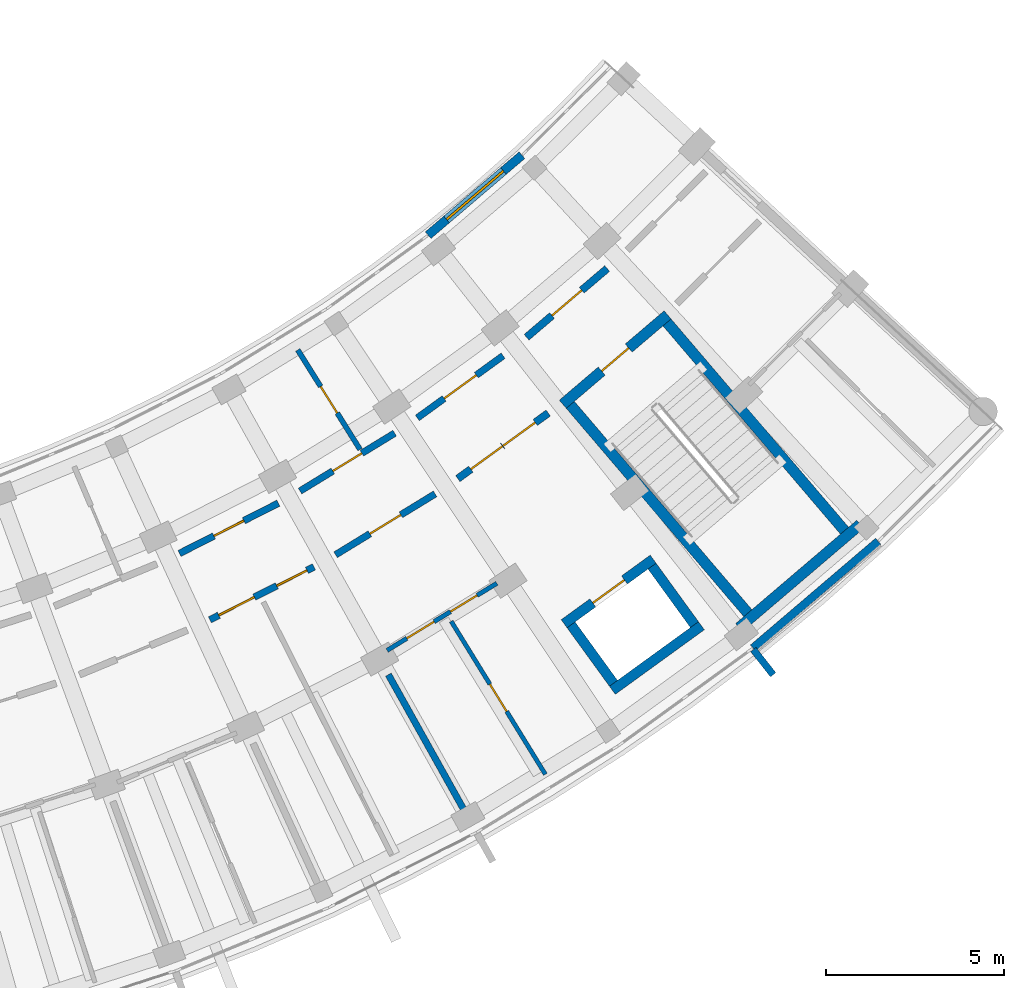
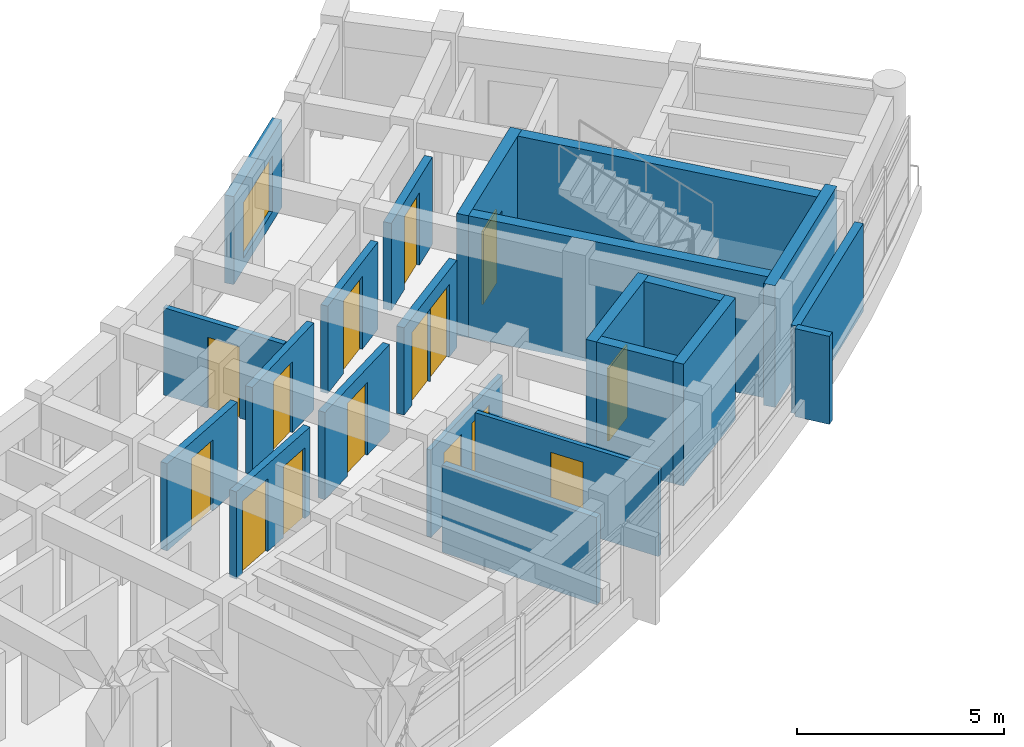
# One storey, part 68 of 83: 22 walls, 15 doors, 1 window, 16 openings.
"""IFC4 building model written with IfcOpenShell, lengths in metres."""

from ifc_helpers import new_model, si_unit, direction, frame, frame_2d, origin, place, context, subcontext, project, spatial, rectangle, extrude, material, layer, layer_set, type_object, element, fill, save


model = new_model("IFC4")

# Units and contexts
model_context = context("Model", 3, precision=1e-05, world=origin(), true_north=direction((0.0, 1.0)))
body_context = subcontext(model_context, "Body", "Model", "MODEL_VIEW")
ifc_project = project(units=[si_unit("LENGTHUNIT", "METRE"), si_unit("AREAUNIT", "SQUARE_METRE"), si_unit("VOLUMEUNIT", "CUBIC_METRE"), si_unit("PLANEANGLEUNIT", "RADIAN"), si_unit("MASSUNIT", "GRAM", prefix="KILO")], contexts=[model_context])

# Site, building, storey
site_placement = place(None, origin())
site = spatial("IfcSite", under=ifc_project, at=site_placement, CompositionType="ELEMENT")
building_placement = place(site_placement, origin())
building = spatial("IfcBuilding", under=site, at=building_placement, Name="Zimvara Arc Housing Community", CompositionType="ELEMENT")
storey_placement = place(building_placement, frame((0.0, 0.0, 4.5)))
storey = spatial("IfcBuildingStorey", under=building, at=storey_placement, Name="L01", CompositionType="ELEMENT", Elevation=4.5)

# Wall
ifc_material_1 = material(Name="Board-Marked Fair-Faced Concrete C35/45", Category="concrete")
ifc_layer_1 = layer(ifc_material_1, 0.195068359375)
ifc_layer_set_1 = layer_set([ifc_layer_1], Name="Board-Marked Fair-Faced Concrete C35/45")
wall_type_1 = type_object("IfcWallType", Name="EWL-PARA-195", PredefinedType="PARAPET", material=ifc_layer_set_1)
wall_1_placement = place(storey_placement, frame((162.725830078125, 63.164306640625, 0.0), z_axis=(0.0, 0.0, 1.0), x_axis=(0.618456270212, -0.785819217019, 0.0)))
element("IfcWall", 1, at=wall_1_placement, inside=storey, type_object=wall_type_1, Name="finwall:blkD:L01:out:b8", PredefinedType="PARAPET", context=body_context, shape_type="SweptSolid", body=[
    extrude(rectangle(XDim=0.900146484375, YDim=0.195068359375, at=frame_2d((0.4501953125, 0.0))), origin(), (0.0, 0.0, 1.0), 2.60009765625),
])

# Wall, opening, window
ifc_material_2 = material(Name="Pigmented Fair-Faced Concrete C35/45", Category="concrete")
ifc_layer_2 = layer(ifc_material_2, 0.2451171875)
ifc_layer_set_2 = layer_set([ifc_layer_2], Name="Pigmented Fair-Faced Concrete C35/45")
wall_type_2 = type_object("IfcWallType", Name="EWL-PIGM-245", PredefinedType="SOLIDWALL", material=ifc_layer_set_2)
wall_2_placement = place(storey_placement, frame((153.588623046875, 74.80810546875, 0.0), z_axis=(0.0, 0.0, 1.0), x_axis=(0.760985425115, 0.648768974876, 0.0)))
wall_2 = element("IfcWall", 2, at=wall_2_placement, inside=storey, type_object=wall_type_2, Name="ewall:blkD:L01:in:b8", PredefinedType="SOLIDWALL", context=body_context, shape_type="SweptSolid", body=[
    extrude(rectangle(XDim=3.463623046875, YDim=0.2451171875, at=frame_2d((1.73193359375, 0.0))), origin(), (0.0, 0.0, 1.0), 2.60009765625),
])
opening_1_placement = place(wall_2_placement, frame((0.681884765625, 0.0, 0.320068359375)))
opening_1 = element("IfcOpeningElement", 3, at=opening_1_placement, cuts=wall_2, Name="Opening W09", PredefinedType="OPENING", context=body_context, shape_type="SweptSolid", body=[
    extrude(rectangle(XDim=2.10009765625, YDim=1.64990234375, at=frame_2d((1.050048828125, 0.824951171875))), frame((0.0, 0.132568359375, 0.0), z_axis=(0.0, -1.0, 0.0), x_axis=(1.0, 0.0, 0.0)), (0.0, 0.0, 1.0), 0.26513671875),
])
ifc_material_3 = material(Name="Solar Control Low-E Double Glazing", Category="glass")
window_type = type_object("IfcWindowType", Name="WIN-RES-2100x1650", PartitioningType="TRIPLE_PANEL_VERTICAL", PredefinedType="WINDOW", material=ifc_material_3)
window_placement = place(opening_1_placement, origin())
window = element("IfcWindow", 4, at=window_placement, inside=storey, type_object=window_type, Name="win:blkD:L01:in:b8", OverallHeight=1.64990234375, OverallWidth=2.10009765625, PartitioningType="TRIPLE_PANEL_VERTICAL", PredefinedType="WINDOW", context=body_context, shape_type="SweptSolid", body=[
    extrude(rectangle(XDim=2.10009765625, YDim=1.64990234375, at=frame_2d((1.050048828125, 0.824951171875))), frame((0.0, 0.030029296875, 0.0), z_axis=(0.0, -1.0, 0.0), x_axis=(1.0, 0.0, 0.0)), (0.0, 0.0, 1.0), 0.06005859375),
])
fill(opening_1, window)

# Wall
ifc_material_4 = material(Name="Board-Marked Fair-Faced Concrete C35/45", Category="concrete")
ifc_layer_3 = layer(ifc_material_4, 0.22412109375)
ifc_layer_set_3 = layer_set([ifc_layer_3], Name="Board-Marked Fair-Faced Concrete C35/45")
wall_type_3 = type_object("IfcWallType", Name="EWL-VAR-13", PredefinedType="SOLIDWALL", material=ifc_layer_set_3)
wall_3_placement = place(storey_placement, frame((162.71630859375, 63.208740234375, 0.0), z_axis=(0.0, 0.0, 1.0), x_axis=(0.760968923704, 0.64878833001, 0.0)))
element("IfcWall", 5, at=wall_3_placement, inside=storey, type_object=wall_type_3, Name="ewall:blkD:L01:out:b8", PredefinedType="SOLIDWALL", context=body_context, shape_type="SweptSolid", body=[
    extrude(rectangle(XDim=4.62255859375, YDim=0.22412109375, at=frame_2d((2.311279296875, 0.0))), origin(), (0.0, 0.0, 1.0), 2.60009765625),
])

# Wall, openings, doors
ifc_material_5 = material(Name="Concrete C35/45", Category="concrete")
ifc_layer_4 = layer(ifc_material_5, 0.2099609375)
ifc_layer_set_4 = layer_set([ifc_layer_4], Name="Concrete C35/45")
wall_type_4 = type_object("IfcWallType", Name="IWL-CCF-210", PredefinedType="SOLIDWALL", material=ifc_layer_set_4)
wall_4_placement = place(storey_placement, frame((154.4228515625, 67.968017578125, 0.0), z_axis=(0.0, 0.0, 1.0), x_axis=(0.809516127005, 0.587097641043, 0.0)))
wall_4 = element("IfcWall", 6, at=wall_4_placement, inside=storey, type_object=wall_type_4, Name="iwall:blkD:L01:ll_div:b7", PredefinedType="SOLIDWALL", context=body_context, shape_type="SweptSolid", body=[
    extrude(rectangle(XDim=3.13720703125, YDim=0.2099609375, at=frame_2d((1.568603515625, 0.0))), origin(), (0.0, 0.0, 1.0), 2.580078125),
])
opening_2_placement = place(wall_4_placement, frame((0.449951171875, 0.0, 0.0)))
opening_2 = element("IfcOpeningElement", 7, at=opening_2_placement, cuts=wall_4, Name="Opening FD-CCF1", PredefinedType="OPENING", context=body_context, shape_type="SweptSolid", body=[
    extrude(rectangle(XDim=1.10009765625, YDim=2.14990234375, at=frame_2d((0.550048828125, 1.074951171875))), frame((0.0, 0.114990234375, 0.0), z_axis=(0.0, -1.0, 0.0), x_axis=(1.0, 0.0, 0.0)), (0.0, 0.0, 1.0), 0.22998046875),
])
opening_3_placement = place(wall_4_placement, frame((1.56689453125, 0.0, 0.0)))
opening_3 = element("IfcOpeningElement", 8, at=opening_3_placement, cuts=wall_4, Name="Opening D07", PredefinedType="OPENING", context=body_context, shape_type="SweptSolid", body=[
    extrude(rectangle(XDim=1.1201171875, YDim=2.14990234375, at=frame_2d((0.56005859375, 1.074951171875))), frame((0.0, 0.114990234375, 0.0), z_axis=(0.0, -1.0, 0.0), x_axis=(1.0, 0.0, 0.0)), (0.0, 0.0, 1.0), 0.22998046875),
])
ifc_material_6 = material(Name="Mozambican Hardwood", Category="wood")
door_type_1 = type_object("IfcDoorType", Name="IDR-AMN-1120x2150", OperationType="NOTDEFINED", PredefinedType="DOOR", material=ifc_material_6)
door_1_placement = place(opening_3_placement, origin())
door_1 = element("IfcDoor", 9, at=door_1_placement, inside=storey, type_object=door_type_1, Name="idoor:blkD:L01:rs_in:b7", OperationType="SINGLE_SWING_RIGHT", OverallHeight=2.14990234375, OverallWidth=1.1201171875, PredefinedType="DOOR", context=body_context, shape_type="SweptSolid", body=[
    extrude(rectangle(XDim=1.1201171875, YDim=2.14990234375, at=frame_2d((0.56005859375, 1.074951171875))), frame((0.0, 0.02490234375, 0.0), z_axis=(0.0, -1.0, 0.0), x_axis=(1.0, 0.0, 0.0)), (0.0, 0.0, 1.0), 0.050048828125),
])
fill(opening_3, door_1)
ifc_material_7 = material(Name="Anodised Aluminium AW-6063", Category="aluminium")
door_type_2 = type_object("IfcDoorType", Name="IDR-CCF-1100x2150", OperationType="NOTDEFINED", PredefinedType="DOOR", material=ifc_material_7)
door_2_placement = place(opening_2_placement, origin())
door_2 = element("IfcDoor", 10, at=door_2_placement, inside=storey, type_object=door_type_2, Name="idoor:blkD:L01:ll_in:b7", OperationType="SINGLE_SWING_LEFT", OverallHeight=2.14990234375, OverallWidth=1.10009765625, PredefinedType="DOOR", context=body_context, shape_type="SweptSolid", body=[
    extrude(rectangle(XDim=1.10009765625, YDim=2.14990234375, at=frame_2d((0.550048828125, 1.074951171875))), frame((0.0, 0.02490234375, 0.0), z_axis=(0.0, -1.0, 0.0), x_axis=(1.0, 0.0, 0.0)), (0.0, 0.0, 1.0), 0.050048828125),
])
fill(opening_2, door_2)

# Wall, opening, door
wall_5_placement = place(storey_placement, frame((156.354248046875, 71.93994140625, 0.0), z_axis=(0.0, 0.0, 1.0), x_axis=(0.760991187621, 0.648762215579, 0.0)))
wall_5 = element("IfcWall", 11, at=wall_5_placement, inside=storey, type_object=wall_type_4, Name="iwall:blkD:L01:ccf_div:b8", PredefinedType="SOLIDWALL", context=body_context, shape_type="SweptSolid", body=[
    extrude(rectangle(XDim=2.975830078125, YDim=0.2099609375, at=frame_2d((1.48779296875, 0.0))), origin(), (0.0, 0.0, 1.0), 2.580078125),
])
opening_4_placement = place(wall_5_placement, frame((0.93798828125, 0.0, 0.0)))
opening_4 = element("IfcOpeningElement", 12, at=opening_4_placement, cuts=wall_5, Name="Opening FD-CCF1", PredefinedType="OPENING", context=body_context, shape_type="SweptSolid", body=[
    extrude(rectangle(XDim=1.10009765625, YDim=2.14990234375, at=frame_2d((0.550048828125, 1.074951171875))), frame((0.0, 0.114990234375, 0.0), z_axis=(0.0, -1.0, 0.0), x_axis=(1.0, 0.0, 0.0)), (0.0, 0.0, 1.0), 0.22998046875),
])
door_3_placement = place(opening_4_placement, origin())
door_3 = element("IfcDoor", 13, at=door_3_placement, inside=storey, type_object=door_type_2, Name="idoor:blkD:L01:ccf_in:b8", OperationType="SINGLE_SWING_RIGHT", OverallHeight=2.14990234375, OverallWidth=1.10009765625, PredefinedType="DOOR", context=body_context, shape_type="SweptSolid", body=[
    extrude(rectangle(XDim=1.10009765625, YDim=2.14990234375, at=frame_2d((0.550048828125, 1.074951171875))), frame((0.0, 0.02490234375, 0.0), z_axis=(0.0, -1.0, 0.0), x_axis=(1.0, 0.0, 0.0)), (0.0, 0.0, 1.0), 0.050048828125),
])
fill(opening_4, door_3)

# Wall, openings, doors
ifc_material_8 = material(Name="Concrete C35/45", Category="concrete")
ifc_layer_5 = layer(ifc_material_8, 0.18994140625)
ifc_layer_set_5 = layer_set([ifc_layer_5], Name="Concrete C35/45")
wall_type_5 = type_object("IfcWallType", Name="IWL-CORR-190", PredefinedType="SOLIDWALL", material=ifc_layer_set_5)
wall_6_placement = place(storey_placement, frame((147.45703125, 64.002685546875, 0.0), z_axis=(0.0, 0.0, 1.0), x_axis=(0.891412167565, 0.45319349898, 0.0)))
wall_6 = element("IfcWall", 14, at=wall_6_placement, inside=storey, type_object=wall_type_5, Name="iwall:blkD:L01:corr_out:b5", PredefinedType="SOLIDWALL", context=body_context, shape_type="SweptSolid", body=[
    extrude(rectangle(XDim=3.277099609375, YDim=0.18994140625, at=frame_2d((1.638671875, 0.0))), origin(), (0.0, 0.0, 1.0), 2.580078125),
])
opening_5_placement = place(wall_6_placement, frame((0.280029296875, 0.0, 0.0)))
opening_5 = element("IfcOpeningElement", 15, at=opening_5_placement, cuts=wall_6, Name="Opening D07", PredefinedType="OPENING", context=body_context, shape_type="SweptSolid", body=[
    extrude(rectangle(XDim=1.1201171875, YDim=2.14990234375, at=frame_2d((0.56005859375, 1.074951171875))), frame((0.0, 0.10498046875, 0.0), z_axis=(0.0, -1.0, 0.0), x_axis=(1.0, 0.0, 0.0)), (0.0, 0.0, 1.0), 0.2099609375),
])
opening_6_placement = place(wall_6_placement, frame((2.10693359375, 0.0, 0.0)))
opening_6 = element("IfcOpeningElement", 16, at=opening_6_placement, cuts=wall_6, Name="Opening D06", PredefinedType="OPENING", context=body_context, shape_type="SweptSolid", body=[
    extrude(rectangle(XDim=0.949951171875, YDim=2.10009765625, at=frame_2d((0.47509765625, 1.050048828125))), frame((0.0, 0.10498046875, 0.0), z_axis=(0.0, -1.0, 0.0), x_axis=(1.0, 0.0, 0.0)), (0.0, 0.0, 1.0), 0.2099609375),
])
door_4_placement = place(opening_5_placement, origin())
door_4 = element("IfcDoor", 17, at=door_4_placement, inside=storey, type_object=door_type_1, Name="idoor:blkD:L01:amen:b5", OperationType="SINGLE_SWING_LEFT", OverallHeight=2.14990234375, OverallWidth=1.1201171875, PredefinedType="DOOR", context=body_context, shape_type="SweptSolid", body=[
    extrude(rectangle(XDim=1.1201171875, YDim=2.14990234375, at=frame_2d((0.56005859375, 1.074951171875))), frame((0.0, 0.02490234375, 0.0), z_axis=(0.0, -1.0, 0.0), x_axis=(1.0, 0.0, 0.0)), (0.0, 0.0, 1.0), 0.050048828125),
])
fill(opening_5, door_4)
ifc_material_9 = material(Name="Mozambican Hardwood", Category="wood")
door_type_3 = type_object("IfcDoorType", Name="IDR-AWC-0950x2100", OperationType="NOTDEFINED", PredefinedType="DOOR", material=ifc_material_9)
door_5_placement = place(opening_6_placement, origin())
door_5 = element("IfcDoor", 18, at=door_5_placement, inside=storey, type_object=door_type_3, Name="idoor:blkD:L01:cawc:b5", OperationType="SINGLE_SWING_RIGHT", OverallHeight=2.10009765625, OverallWidth=0.949951171875, PredefinedType="DOOR", context=body_context, shape_type="SweptSolid", body=[
    extrude(rectangle(XDim=0.949951171875, YDim=2.10009765625, at=frame_2d((0.47509765625, 1.050048828125))), frame((0.0, 0.02490234375, 0.0), z_axis=(0.0, -1.0, 0.0), x_axis=(1.0, 0.0, 0.0)), (0.0, 0.0, 1.0), 0.050048828125),
])
fill(opening_6, door_5)

# Wall, opening, door
wall_7_placement = place(storey_placement, frame((146.600341796875, 65.865234375, 0.0), z_axis=(0.0, 0.0, 1.0), x_axis=(0.891414101388, 0.453189695212, 0.0)))
wall_7 = element("IfcWall", 19, at=wall_7_placement, inside=storey, type_object=wall_type_5, Name="iwall:blkD:L01:corr_in:b5", PredefinedType="SOLIDWALL", context=body_context, shape_type="SweptSolid", body=[
    extrude(rectangle(XDim=3.115966796875, YDim=0.18994140625, at=frame_2d((1.55810546875, 0.0))), origin(), (0.0, 0.0, 1.0), 2.580078125),
])
opening_7_placement = place(wall_7_placement, frame((1.087890625, 0.0, 0.0)))
opening_7 = element("IfcOpeningElement", 20, at=opening_7_placement, cuts=wall_7, Name="Opening D03", PredefinedType="OPENING", context=body_context, shape_type="SweptSolid", body=[
    extrude(rectangle(XDim=0.93994140625, YDim=2.10009765625, at=frame_2d((0.469970703125, 1.050048828125))), frame((0.0, 0.10498046875, 0.0), z_axis=(0.0, -1.0, 0.0), x_axis=(1.0, 0.0, 0.0)), (0.0, 0.0, 1.0), 0.2099609375),
])
ifc_material_10 = material(Name="Mozambican Hardwood", Category="wood")
door_type_4 = type_object("IfcDoorType", Name="IDR-RM-0940x2100", OperationType="NOTDEFINED", PredefinedType="DOOR", material=ifc_material_10)
door_6_placement = place(opening_7_placement, origin())
door_6 = element("IfcDoor", 21, at=door_6_placement, inside=storey, type_object=door_type_4, Name="idoor:blkD:L01:in_rm:b5", OperationType="SINGLE_SWING_LEFT", OverallHeight=2.10009765625, OverallWidth=0.93994140625, PredefinedType="DOOR", context=body_context, shape_type="SweptSolid", body=[
    extrude(rectangle(XDim=0.93994140625, YDim=2.10009765625, at=frame_2d((0.469970703125, 1.050048828125))), frame((0.0, 0.02490234375, 0.0), z_axis=(0.0, -1.0, 0.0), x_axis=(1.0, 0.0, 0.0)), (0.0, 0.0, 1.0), 0.050048828125),
])
fill(opening_7, door_6)

wall_8_placement = place(storey_placement, frame((150.98876953125, 65.8291015625, 0.0), z_axis=(0.0, 0.0, 1.0), x_axis=(0.853090237845, 0.521763400492, 0.0)))
wall_8 = element("IfcWall", 22, at=wall_8_placement, inside=storey, type_object=wall_type_5, Name="iwall:blkD:L01:corr_out:b6", PredefinedType="SOLIDWALL", context=body_context, shape_type="SweptSolid", body=[
    extrude(rectangle(XDim=3.27685546875, YDim=0.18994140625, at=frame_2d((1.638427734375, 0.0))), origin(), (0.0, 0.0, 1.0), 2.580078125),
])
opening_8_placement = place(wall_8_placement, frame((1.12841796875, 0.0, 0.0)))
opening_8 = element("IfcOpeningElement", 23, at=opening_8_placement, cuts=wall_8, Name="Opening FD-FL2", PredefinedType="OPENING", context=body_context, shape_type="SweptSolid", body=[
    extrude(rectangle(XDim=1.02001953125, YDim=2.14990234375, at=frame_2d((0.510009765625, 1.074951171875))), frame((0.0, 0.10498046875, 0.0), z_axis=(0.0, -1.0, 0.0), x_axis=(1.0, 0.0, 0.0)), (0.0, 0.0, 1.0), 0.2099609375),
])
ifc_material_11 = material(Name="Mozambican Hardwood", Category="wood")
door_type_5 = type_object("IfcDoorType", Name="IDR-FLAT-1020x2150", OperationType="NOTDEFINED", PredefinedType="DOOR", material=ifc_material_11)
door_7_placement = place(opening_8_placement, origin())
door_7 = element("IfcDoor", 24, at=door_7_placement, inside=storey, type_object=door_type_5, Name="idoor:blkD:L01:flat:b6", OperationType="SINGLE_SWING_LEFT", OverallHeight=2.14990234375, OverallWidth=1.02001953125, PredefinedType="DOOR", context=body_context, shape_type="SweptSolid", body=[
    extrude(rectangle(XDim=1.02001953125, YDim=2.14990234375, at=frame_2d((0.510009765625, 1.074951171875))), frame((0.0, 0.02490234375, 0.0), z_axis=(0.0, -1.0, 0.0), x_axis=(1.0, 0.0, 0.0)), (0.0, 0.0, 1.0), 0.050048828125),
])
fill(opening_8, door_7)

wall_9_placement = place(storey_placement, frame((149.988525390625, 67.61865234375, 0.0), z_axis=(0.0, 0.0, 1.0), x_axis=(0.853121049608, 0.5217130195, 0.0)))
wall_9 = element("IfcWall", 25, at=wall_9_placement, inside=storey, type_object=wall_type_5, Name="iwall:blkD:L01:corr_in:b6", PredefinedType="SOLIDWALL", context=body_context, shape_type="SweptSolid", body=[
    extrude(rectangle(XDim=3.1162109375, YDim=0.18994140625, at=frame_2d((1.55810546875, 0.0))), origin(), (0.0, 0.0, 1.0), 2.580078125),
])
opening_9_placement = place(wall_9_placement, frame((1.077880859375, 0.0, 0.0)))
opening_9 = element("IfcOpeningElement", 26, at=opening_9_placement, cuts=wall_9, Name="Opening D04", PredefinedType="OPENING", context=body_context, shape_type="SweptSolid", body=[
    extrude(rectangle(XDim=0.9599609375, YDim=2.10009765625, at=frame_2d((0.47998046875, 1.050048828125))), frame((0.0, 0.10498046875, 0.0), z_axis=(0.0, -1.0, 0.0), x_axis=(1.0, 0.0, 0.0)), (0.0, 0.0, 1.0), 0.2099609375),
])
ifc_material_12 = material(Name="Mozambican Hardwood", Category="wood")
door_type_6 = type_object("IfcDoorType", Name="IDR-RM-0960x2100", OperationType="NOTDEFINED", PredefinedType="DOOR", material=ifc_material_12)
door_8_placement = place(opening_9_placement, origin())
door_8 = element("IfcDoor", 27, at=door_8_placement, inside=storey, type_object=door_type_6, Name="idoor:blkD:L01:in_rm:b6", OperationType="SINGLE_SWING_RIGHT", OverallHeight=2.10009765625, OverallWidth=0.9599609375, PredefinedType="DOOR", context=body_context, shape_type="SweptSolid", body=[
    extrude(rectangle(XDim=0.9599609375, YDim=2.10009765625, at=frame_2d((0.47998046875, 1.050048828125))), frame((0.0, 0.02490234375, 0.0), z_axis=(0.0, -1.0, 0.0), x_axis=(1.0, 0.0, 0.0)), (0.0, 0.0, 1.0), 0.050048828125),
])
fill(opening_9, door_8)

wall_10_placement = place(storey_placement, frame((153.285400390625, 69.673583984375, 0.0), z_axis=(0.0, 0.0, 1.0), x_axis=(0.809505174959, 0.587112741911, 0.0)))
wall_10 = element("IfcWall", 28, at=wall_10_placement, inside=storey, type_object=wall_type_5, Name="iwall:blkD:L01:ra_div:b7", PredefinedType="SOLIDWALL", context=body_context, shape_type="SweptSolid", body=[
    extrude(rectangle(XDim=2.97607421875, YDim=0.18994140625, at=frame_2d((1.488037109375, 0.0))), origin(), (0.0, 0.0, 1.0), 2.580078125),
])
opening_10_placement = place(wall_10_placement, frame((0.927978515625, 0.0, 0.0)))
opening_10 = element("IfcOpeningElement", 29, at=opening_10_placement, cuts=wall_10, Name="Opening D07", PredefinedType="OPENING", context=body_context, shape_type="SweptSolid", body=[
    extrude(rectangle(XDim=1.1201171875, YDim=2.14990234375, at=frame_2d((0.56005859375, 1.074951171875))), frame((0.0, 0.10498046875, 0.0), z_axis=(0.0, -1.0, 0.0), x_axis=(1.0, 0.0, 0.0)), (0.0, 0.0, 1.0), 0.2099609375),
])
door_9_placement = place(opening_10_placement, origin())
door_9 = element("IfcDoor", 30, at=door_9_placement, inside=storey, type_object=door_type_1, Name="idoor:blkD:L01:ra_d:b7", OperationType="SINGLE_SWING_LEFT", OverallHeight=2.14990234375, OverallWidth=1.1201171875, PredefinedType="DOOR", context=body_context, shape_type="SweptSolid", body=[
    extrude(rectangle(XDim=1.1201171875, YDim=2.14990234375, at=frame_2d((0.56005859375, 1.074951171875))), frame((0.0, 0.02490234375, 0.0), z_axis=(0.0, -1.0, 0.0), x_axis=(1.0, 0.0, 0.0)), (0.0, 0.0, 1.0), 0.050048828125),
])
fill(opening_10, door_9)

# Wall
ifc_material_13 = material(Name="Concrete C35/45", Category="concrete")
ifc_layer_6 = layer(ifc_material_13, 0.18505859375)
ifc_layer_set_6 = layer_set([ifc_layer_6], Name="Concrete C35/45")
wall_type_6 = type_object("IfcWallType", Name="IWL-FLAT-185", PredefinedType="SOLIDWALL", material=ifc_layer_set_6)
wall_11_placement = place(storey_placement, frame((152.470703125, 62.46044921875, 0.0), z_axis=(0.0, 0.0, 1.0), x_axis=(0.487866639184, -0.872918176218, 0.0)))
element("IfcWall", 31, at=wall_11_placement, inside=storey, type_object=wall_type_6, Name="iwall:blkD:L01:party:b6", PredefinedType="SOLIDWALL", context=body_context, shape_type="SweptSolid", body=[
    extrude(rectangle(XDim=4.35009765625, YDim=0.18505859375, at=frame_2d((2.175048828125, 0.0))), origin(), (0.0, 0.0, 1.0), 2.580078125),
])

# Wall, opening, door
ifc_material_14 = material(Name="Painted Acoustic Plasterboard")
ifc_layer_7 = layer(ifc_material_14, 0.1201171875)
ifc_layer_set_7 = layer_set([ifc_layer_7], Name="Painted Acoustic Plasterboard")
wall_type_7 = type_object("IfcWallType", Name="IWL-PART-120", PredefinedType="PARTITIONING", material=ifc_layer_set_7)
wall_12_placement = place(storey_placement, frame((154.2353515625, 63.959716796875, 0.0), z_axis=(0.0, 0.0, 1.0), x_axis=(0.524202618281, -0.851593573829, 0.0)))
wall_12 = element("IfcWall", 32, at=wall_12_placement, inside=storey, type_object=wall_type_7, Name="iwall:blkD:L01:bed_div:b6", PredefinedType="PARTITIONING", context=body_context, shape_type="SweptSolid", body=[
    extrude(rectangle(XDim=5.050048828125, YDim=0.1201171875, at=frame_2d((2.52490234375, 0.0))), origin(), (0.0, 0.0, 1.0), 2.580078125),
])
opening_11_placement = place(wall_12_placement, frame((2.074951171875, 0.0, 0.0)))
opening_11 = element("IfcOpeningElement", 33, at=opening_11_placement, cuts=wall_12, Name="Opening D01", PredefinedType="OPENING", context=body_context, shape_type="SweptSolid", body=[
    extrude(rectangle(XDim=0.89990234375, YDim=2.10009765625, at=frame_2d((0.449951171875, 1.050048828125))), frame((0.0, 0.070068359375, 0.0), z_axis=(0.0, -1.0, 0.0), x_axis=(1.0, 0.0, 0.0)), (0.0, 0.0, 1.0), 0.14013671875),
])
ifc_material_15 = material(Name="Mozambican Hardwood", Category="wood")
door_type_7 = type_object("IfcDoorType", Name="IDR-RM-0900x2100", OperationType="NOTDEFINED", PredefinedType="DOOR", material=ifc_material_15)
door_10_placement = place(opening_11_placement, origin())
door_10 = element("IfcDoor", 34, at=door_10_placement, inside=storey, type_object=door_type_7, Name="idoor:blkD:L01:bed_d:b6", OperationType="SINGLE_SWING_RIGHT", OverallHeight=2.10009765625, OverallWidth=0.89990234375, PredefinedType="DOOR", context=body_context, shape_type="SweptSolid", body=[
    extrude(rectangle(XDim=0.89990234375, YDim=2.10009765625, at=frame_2d((0.449951171875, 1.050048828125))), frame((0.0, 0.02490234375, 0.0), z_axis=(0.0, -1.0, 0.0), x_axis=(1.0, 0.0, 0.0)), (0.0, 0.0, 1.0), 0.050048828125),
])
fill(opening_11, door_10)

# Wall, openings, doors
ifc_material_16 = material(Name="Painted Acoustic Plasterboard")
ifc_layer_8 = layer(ifc_material_16, 0.125)
ifc_layer_set_8 = layer_set([ifc_layer_8], Name="Painted Acoustic Plasterboard")
wall_type_8 = type_object("IfcWallType", Name="IWL-PART-125", PredefinedType="PARTITIONING", material=ifc_layer_set_8)
wall_13_placement = place(storey_placement, frame((152.43408203125, 63.140625, 0.0), z_axis=(0.0, 0.0, 1.0), x_axis=(0.853089873067, 0.521763996909, 0.0)))
wall_13 = element("IfcWall", 35, at=wall_13_placement, inside=storey, type_object=wall_type_8, Name="iwall:blkD:L01:srv:b6", PredefinedType="PARTITIONING", context=body_context, shape_type="SweptSolid", body=[
    extrude(rectangle(XDim=3.616455078125, YDim=0.125, at=frame_2d((1.80810546875, 0.0))), origin(), (0.0, 0.0, 1.0), 2.580078125),
])
opening_12_placement = place(wall_13_placement, frame((0.64990234375, 0.0, 0.0)))
opening_12 = element("IfcOpeningElement", 36, at=opening_12_placement, cuts=wall_13, Name="Opening D01", PredefinedType="OPENING", context=body_context, shape_type="SweptSolid", body=[
    extrude(rectangle(XDim=0.89990234375, YDim=2.10009765625, at=frame_2d((0.449951171875, 1.050048828125))), frame((0.0, 0.072509765625, 0.0), z_axis=(0.0, -1.0, 0.0), x_axis=(1.0, 0.0, 0.0)), (0.0, 0.0, 1.0), 0.14501953125),
])
opening_13_placement = place(wall_13_placement, frame((2.08642578125, 0.0, 0.0)))
opening_13 = element("IfcOpeningElement", 37, at=opening_13_placement, cuts=wall_13, Name="Opening D05", PredefinedType="OPENING", context=body_context, shape_type="SweptSolid", body=[
    extrude(rectangle(XDim=0.8798828125, YDim=2.10009765625, at=frame_2d((0.43994140625, 1.050048828125))), frame((0.0, 0.072509765625, 0.0), z_axis=(0.0, -1.0, 0.0), x_axis=(1.0, 0.0, 0.0)), (0.0, 0.0, 1.0), 0.14501953125),
])
door_11_placement = place(opening_12_placement, origin())
door_11 = element("IfcDoor", 38, at=door_11_placement, inside=storey, type_object=door_type_7, Name="idoor:blkD:L01:kit_liv:b6", OperationType="SINGLE_SWING_RIGHT", OverallHeight=2.10009765625, OverallWidth=0.89990234375, PredefinedType="DOOR", context=body_context, shape_type="SweptSolid", body=[
    extrude(rectangle(XDim=0.89990234375, YDim=2.10009765625, at=frame_2d((0.449951171875, 1.050048828125))), frame((0.0, 0.02490234375, 0.0), z_axis=(0.0, -1.0, 0.0), x_axis=(1.0, 0.0, 0.0)), (0.0, 0.0, 1.0), 0.050048828125),
])
fill(opening_12, door_11)
ifc_material_17 = material(Name="Mozambican Hardwood", Category="wood")
door_type_8 = type_object("IfcDoorType", Name="IDR-WC-0880x2100", OperationType="NOTDEFINED", PredefinedType="DOOR", material=ifc_material_17)
door_12_placement = place(opening_13_placement, origin())
door_12 = element("IfcDoor", 39, at=door_12_placement, inside=storey, type_object=door_type_8, Name="idoor:blkD:L01:bath_d:b6", OperationType="SINGLE_SWING_LEFT", OverallHeight=2.10009765625, OverallWidth=0.8798828125, PredefinedType="DOOR", context=body_context, shape_type="SweptSolid", body=[
    extrude(rectangle(XDim=0.8798828125, YDim=2.10009765625, at=frame_2d((0.43994140625, 1.050048828125))), frame((0.0, 0.02490234375, 0.0), z_axis=(0.0, -1.0, 0.0), x_axis=(1.0, 0.0, 0.0)), (0.0, 0.0, 1.0), 0.050048828125),
])
fill(opening_13, door_12)

# Wall, opening, door
ifc_material_18 = material(Name="Painted Acoustic Plasterboard")
ifc_layer_9 = layer(ifc_material_18, 0.14501953125)
ifc_layer_set_9 = layer_set([ifc_layer_9], Name="Painted Acoustic Plasterboard")
wall_type_9 = type_object("IfcWallType", Name="IWL-WET-145", PredefinedType="PARTITIONING", material=ifc_layer_set_9)
wall_14_placement = place(storey_placement, frame((149.925537109375, 71.5830078125, 0.0), z_axis=(0.0, 0.0, 1.0), x_axis=(0.5303779416, -0.847761310196, 0.0)))
wall_14 = element("IfcWall", 40, at=wall_14_placement, inside=storey, type_object=wall_type_9, Name="iwall:blkD:L01:ens:b6", PredefinedType="PARTITIONING", context=body_context, shape_type="SweptSolid", body=[
    extrude(rectangle(XDim=3.300048828125, YDim=0.14501953125, at=frame_2d((1.64990234375, 0.0))), origin(), (0.0, 0.0, 1.0), 2.580078125),
])
opening_14_placement = place(wall_14_placement, frame((1.2099609375, 0.0, 0.0)))
opening_14 = element("IfcOpeningElement", 41, at=opening_14_placement, cuts=wall_14, Name="Opening D05", PredefinedType="OPENING", context=body_context, shape_type="SweptSolid", body=[
    extrude(rectangle(XDim=0.8798828125, YDim=2.10009765625, at=frame_2d((0.43994140625, 1.050048828125))), frame((0.0, 0.08251953125, 0.0), z_axis=(0.0, -1.0, 0.0), x_axis=(1.0, 0.0, 0.0)), (0.0, 0.0, 1.0), 0.1650390625),
])
door_13_placement = place(opening_14_placement, origin())
door_13 = element("IfcDoor", 42, at=door_13_placement, inside=storey, type_object=door_type_8, Name="idoor:blkD:L01:ens_d:b6", OperationType="SINGLE_SWING_LEFT", OverallHeight=2.10009765625, OverallWidth=0.8798828125, PredefinedType="DOOR", context=body_context, shape_type="SweptSolid", body=[
    extrude(rectangle(XDim=0.8798828125, YDim=2.10009765625, at=frame_2d((0.43994140625, 1.050048828125))), frame((0.0, 0.02490234375, 0.0), z_axis=(0.0, -1.0, 0.0), x_axis=(1.0, 0.0, 0.0)), (0.0, 0.0, 1.0), 0.050048828125),
])
fill(opening_14, door_13)

ifc_material_19 = material(Name="Concrete C40/50", Category="concrete")
ifc_layer_10 = layer(ifc_material_19, 0.280029296875)
ifc_layer_set_10 = layer_set([ifc_layer_10], Name="Concrete C40/50")
wall_type_10 = type_object("IfcWallType", Name="WL-CORE-280", PredefinedType="SHEAR", material=ifc_layer_set_10)
wall_15_placement = place(storey_placement, frame((157.408935546875, 63.890380859375, 0.0), z_axis=(0.0, 0.0, 1.0), x_axis=(0.809510936031, 0.587104798521, 0.0)))
wall_15 = element("IfcWall", 43, at=wall_15_placement, inside=storey, type_object=wall_type_10, Name="lwall:LP-D2:L01:front", PredefinedType="SHEAR", context=body_context, shape_type="SweptSolid", body=[
    extrude(rectangle(XDim=3.090087890625, YDim=0.280029296875, at=frame_2d((1.544921875, 0.0))), origin(), (0.0, 0.0, 1.0), 3.60009765625),
])
opening_15_placement = place(wall_15_placement, frame((0.9951171875, 0.0, 0.0)))
opening_15 = element("IfcOpeningElement", 44, at=opening_15_placement, cuts=wall_15, Name="Opening LD-LP-D2", PredefinedType="OPENING", context=body_context, shape_type="SweptSolid", body=[
    extrude(rectangle(XDim=1.10009765625, YDim=2.14990234375, at=frame_2d((0.550048828125, 1.074951171875))), frame((0.0, 0.14990234375, 0.0), z_axis=(0.0, -1.0, 0.0), x_axis=(1.0, 0.0, 0.0)), (0.0, 0.0, 1.0), 0.300048828125),
])
ifc_material_20 = material(Name="Anodised Aluminium AW-6063", Category="aluminium")
door_type_9 = type_object("IfcDoorType", Name="IDR-LD-1100x2150", OperationType="DOUBLE_DOOR_SLIDING", PredefinedType="DOOR", material=ifc_material_20)
door_14_placement = place(opening_15_placement, origin())
door_14 = element("IfcDoor", 45, at=door_14_placement, inside=storey, type_object=door_type_9, Name="Lift LP-D2 Sliding Landing Door L01", OperationType="DOUBLE_DOOR_SLIDING", OverallHeight=2.14990234375, OverallWidth=1.10009765625, PredefinedType="DOOR", context=body_context, shape_type="SweptSolid", body=[
    extrude(rectangle(XDim=1.10009765625, YDim=2.14990234375, at=frame_2d((0.550048828125, 1.074951171875))), frame((0.0, 0.02490234375, 0.0), z_axis=(0.0, -1.0, 0.0), x_axis=(1.0, 0.0, 0.0)), (0.0, 0.0, 1.0), 0.050048828125),
])
fill(opening_15, door_14)

# Walls
wall_16_placement = place(storey_placement, frame((158.76513671875, 62.0205078125, 0.0), z_axis=(0.0, 0.0, 1.0), x_axis=(0.809548485838, 0.587053020669, 0.0)))
element("IfcWall", 46, at=wall_16_placement, inside=storey, type_object=wall_type_10, Name="lwall:LP-D2:L01:back", PredefinedType="SHEAR", context=body_context, shape_type="SweptSolid", body=[
    extrude(rectangle(XDim=3.08984375, YDim=0.280029296875, at=frame_2d((1.544921875, 0.0))), origin(), (0.0, 0.0, 1.0), 3.60009765625),
])
wall_17_placement = place(storey_placement, frame((157.6044921875, 63.859375, 0.0), z_axis=(0.0, 0.0, 1.0), x_axis=(0.587127188998, -0.809494696671, 0.0)))
element("IfcWall", 47, at=wall_17_placement, inside=storey, type_object=wall_type_10, Name="lwall:LP-D2:L01:left", PredefinedType="SHEAR", context=body_context, shape_type="SweptSolid", body=[
    extrude(rectangle(XDim=2.030029296875, YDim=0.280029296875, at=frame_2d((1.01513671875, 0.0))), origin(), (0.0, 0.0, 1.0), 3.60009765625),
])
wall_18_placement = place(storey_placement, frame((159.87939453125, 65.509033203125, 0.0), z_axis=(0.0, 0.0, 1.0), x_axis=(0.58704837408, -0.809551855344, 0.0)))
element("IfcWall", 48, at=wall_18_placement, inside=storey, type_object=wall_type_10, Name="lwall:LP-D2:L01:right", PredefinedType="SHEAR", context=body_context, shape_type="SweptSolid", body=[
    extrude(rectangle(XDim=2.02978515625, YDim=0.280029296875, at=frame_2d((1.014892578125, 0.0))), origin(), (0.0, 0.0, 1.0), 3.60009765625),
])

# Wall, opening, door
ifc_material_21 = material(Name="Concrete C40/50", Category="concrete")
ifc_layer_11 = layer(ifc_material_21, 0.300048828125)
ifc_layer_set_11 = layer_set([ifc_layer_11], Name="Concrete C40/50")
wall_type_11 = type_object("IfcWallType", Name="WL-CORE-300", PredefinedType="SHEAR", material=ifc_layer_set_11)
wall_19_placement = place(storey_placement, frame((157.37158203125, 70.0576171875, 0.0), z_axis=(0.0, 0.0, 1.0), x_axis=(0.760990583254, 0.648762924495, 0.0)))
wall_19 = element("IfcWall", 49, at=wall_19_placement, inside=storey, type_object=wall_type_11, Name="cwall:ST-D2:L01:near", PredefinedType="SHEAR", context=body_context, shape_type="SweptSolid", body=[
    extrude(rectangle(XDim=3.8701171875, YDim=0.300048828125, at=frame_2d((1.93505859375, 0.0))), origin(), (0.0, 0.0, 1.0), 3.60009765625),
])
opening_16_placement = place(wall_19_placement, frame((1.43505859375, 0.0, 0.0)))
opening_16 = element("IfcOpeningElement", 50, at=opening_16_placement, cuts=wall_19, Name="Opening FD-ST1", PredefinedType="OPENING", context=body_context, shape_type="SweptSolid", body=[
    extrude(rectangle(XDim=1.0, YDim=2.14990234375, at=frame_2d((0.5, 1.074951171875))), frame((0.0, 0.159912109375, 0.0), z_axis=(0.0, -1.0, 0.0), x_axis=(1.0, 0.0, 0.0)), (0.0, 0.0, 1.0), 0.320068359375),
])
ifc_material_22 = material(Name="Anodised Aluminium AW-6063", Category="aluminium")
door_type_10 = type_object("IfcDoorType", Name="IDR-ST-1000x2150", OperationType="NOTDEFINED", PredefinedType="DOOR", material=ifc_material_22)
door_15_placement = place(opening_16_placement, origin())
door_15 = element("IfcDoor", 51, at=door_15_placement, inside=storey, type_object=door_type_10, Name="idoor:ST-D2:L01:entry", OperationType="SINGLE_SWING_LEFT", OverallHeight=2.14990234375, OverallWidth=1.0, PredefinedType="DOOR", context=body_context, shape_type="SweptSolid", body=[
    extrude(rectangle(XDim=1.0, YDim=2.14990234375, at=frame_2d((0.5, 1.074951171875))), frame((0.0, 0.02490234375, 0.0), z_axis=(0.0, -1.0, 0.0), x_axis=(1.0, 0.0, 0.0)), (0.0, 0.0, 1.0), 0.050048828125),
])
fill(opening_16, door_15)

# Walls
wall_20_placement = place(storey_placement, frame((162.3271484375, 63.78271484375, 0.0), z_axis=(0.0, 0.0, 1.0), x_axis=(0.760969560012, 0.648787583678, 0.0)))
element("IfcWall", 52, at=wall_20_placement, inside=storey, type_object=wall_type_11, Name="cwall:ST-D2:L01:far", PredefinedType="SHEAR", context=body_context, shape_type="SweptSolid", body=[
    extrude(rectangle(XDim=4.47021484375, YDim=0.300048828125, at=frame_2d((2.235107421875, 0.0))), origin(), (0.0, 0.0, 1.0), 3.60009765625),
])
wall_21_placement = place(storey_placement, frame((157.583251953125, 70.040771484375, 0.0), z_axis=(0.0, 0.0, 1.0), x_axis=(0.648762810187, -0.760990680704, 0.0)))
element("IfcWall", 53, at=wall_21_placement, inside=storey, type_object=wall_type_11, Name="cwall:ST-D2:L01:left", PredefinedType="SHEAR", context=body_context, shape_type="SweptSolid", body=[
    extrude(rectangle(XDim=7.68994140625, YDim=0.300048828125, at=frame_2d((3.844970703125, 0.0))), origin(), (0.0, 0.0, 1.0), 3.60009765625),
])
wall_22_placement = place(storey_placement, frame((160.2998046875, 72.35693359375, 0.0), z_axis=(0.0, 0.0, 1.0), x_axis=(0.648781194888, -0.760975006922, 0.0)))
element("IfcWall", 54, at=wall_22_placement, inside=storey, type_object=wall_type_11, Name="cwall:ST-D2:L01:right", PredefinedType="SHEAR", context=body_context, shape_type="SweptSolid", body=[
    extrude(rectangle(XDim=7.690185546875, YDim=0.300048828125, at=frame_2d((3.84521484375, 0.0))), origin(), (0.0, 0.0, 1.0), 3.60009765625),
])

save(model, "model.ifc")
